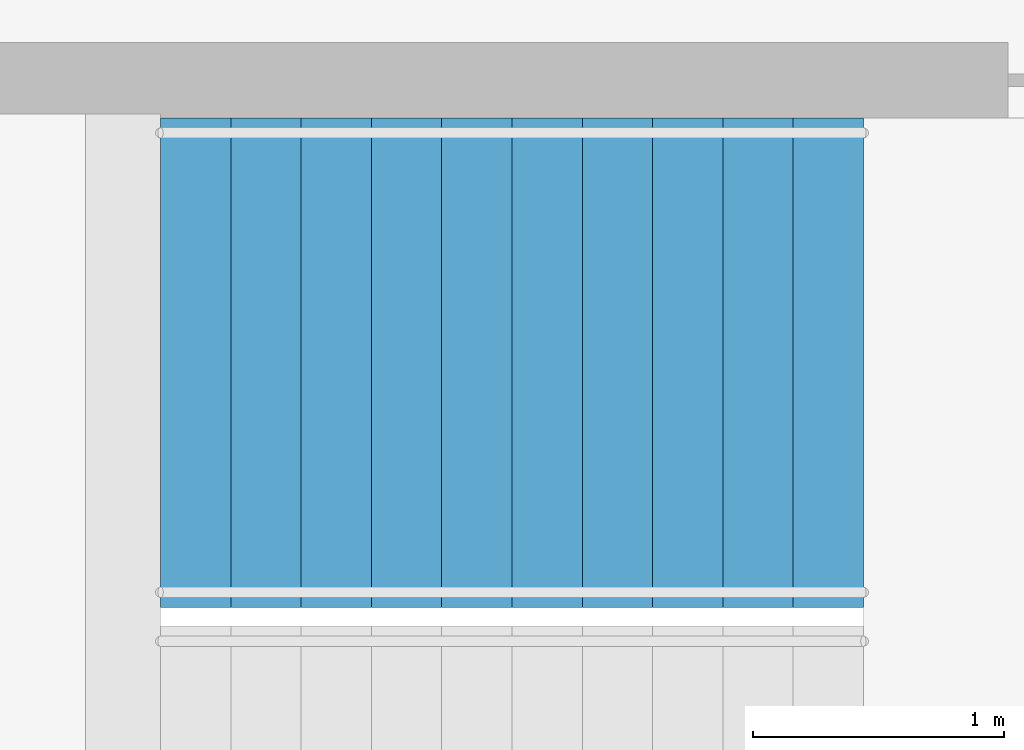
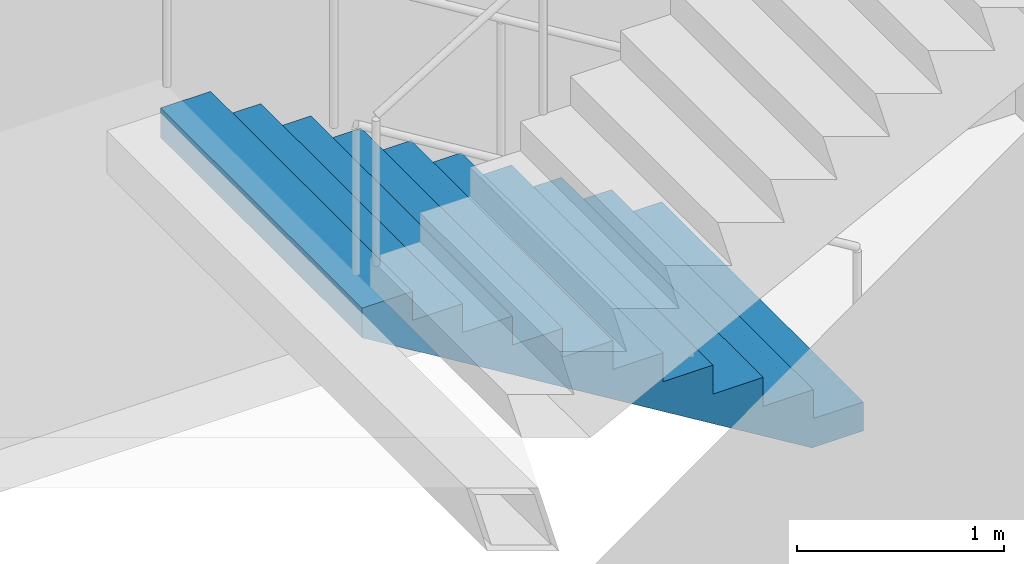
# One storey, part 20 of 21: 1 stair flight, 1 element without a shape of its own.
"""IFC4 building model written with IfcOpenShell, lengths in metres."""

from ifc_helpers import new_model, si_unit, direction, frame, origin, place, context, subcontext, project, spatial, triangles, material, type_object, element, aggregate, save


model = new_model("IFC4")

# Units and contexts
model_context = context("Model", 3, precision=1e-05, world=origin(), true_north=direction((0.0, 1.0)))
body_context = subcontext(model_context, "Body", "Model", "MODEL_VIEW")
ifc_project = project(units=[si_unit("LENGTHUNIT", "METRE"), si_unit("AREAUNIT", "SQUARE_METRE"), si_unit("VOLUMEUNIT", "CUBIC_METRE"), si_unit("PLANEANGLEUNIT", "RADIAN"), si_unit("MASSUNIT", "GRAM", prefix="KILO")], contexts=[model_context])

# Site, building, storey
site_placement = place(None, origin())
site = spatial("IfcSite", under=ifc_project, at=site_placement, CompositionType="ELEMENT")
building_placement = place(site_placement, origin())
building = spatial("IfcBuilding", under=site, at=building_placement, Name="Orbita Commons", CompositionType="ELEMENT")
storey_placement = place(building_placement, frame((0.0, 0.0, 95.64990234375)))
storey = spatial("IfcBuildingStorey", under=building, at=storey_placement, Name="L23", CompositionType="ELEMENT", Elevation=95.64990234375)

# Stair, stair flight
ifc_material_1 = material(Name="Precast concrete C40/50", Category="concrete")
stair_type = type_object("IfcStairType", Name="Exit stair S2 2 flights 11 risers 170", PredefinedType="HALF_TURN_STAIR", material=ifc_material_1)
stair_placement = place(storey_placement, origin())
stair = element("IfcStair", 1, at=stair_placement, inside=storey, type_object=stair_type, Name="Exit stair S2 L23", PredefinedType="HALF_TURN_STAIR")
ifc_material_2 = material(Name="Precast concrete C40/50", Category="concrete")
stair_flight_type = type_object("IfcStairFlightType", Name="Stair flight 11 risers 170 x 280", PredefinedType="STRAIGHT", material=ifc_material_2)
stair_flight_placement = place(storey_placement, frame((63.550048828125, 29.27490234375, 0.0), z_axis=(0.0, 0.0, 1.0), x_axis=(-1.0, 0.0, 0.0)))
stair_flight = element("IfcStairFlight", 2, at=stair_flight_placement, type_object=stair_flight_type, Name="S2 flight 1", NumberOfRisers=11, NumberOfTreads=10, PredefinedType="STRAIGHT", RiserHeight=0.170454545, TreadLength=0.28, context=body_context, shape_type="Tessellation", body=[
    triangles([(0.0, 0.974976, 0.0), (0.0, 0.974976, 0.021307), (0.0, 0.81248, 0.021307), (0.0, 0.81248, 0.0), (0.0, 0.649984, 0.021307), (0.0, 0.649984, 0.0), (0.0, 0.487488, 0.021307), (0.0, 0.487488, 0.0), (0.0, 0.324992, 0.021307), (0.0, 0.324992, 0.0), (0.0, 0.162496, 0.021307), (0.0, 0.162496, 0.0), (0.0, 0.0, 0.021307), (0.0, 0.0, 0.0), (0.0, -0.162496, 0.021307), (0.0, -0.162496, 0.0), (0.0, -0.324992, 0.021307), (0.0, -0.324992, 0.0), (0.0, -0.487488, 0.021307), (0.0, -0.487488, 0.0), (0.0, -0.649984, 0.021307), (0.0, -0.649984, 0.0), (0.0, -0.81248, 0.021307), (0.0, -0.81248, 0.0), (0.0, -0.974976, 0.021307), (0.0, -0.974976, 0.0), (0.0, 0.974976, 0.042614), (0.0, 0.81248, 0.042614), (0.0, 0.649984, 0.042614), (0.0, 0.487488, 0.042614), (0.0, 0.324992, 0.042614), (0.0, 0.162496, 0.042614), (0.0, 0.0, 0.042614), (0.0, -0.162496, 0.042614), (0.0, -0.324992, 0.042614), (0.0, -0.487488, 0.042614), (0.0, -0.649984, 0.042614), (0.0, -0.81248, 0.042614), (0.0, -0.974976, 0.042614), (0.0, 0.974976, 0.06392), (0.0, 0.81248, 0.06392), (0.0, 0.649984, 0.06392), (0.0, 0.487488, 0.06392), (0.0, 0.324992, 0.06392), (0.0, 0.162496, 0.06392), (0.0, 0.0, 0.06392), (0.0, -0.162496, 0.06392), (0.0, -0.324992, 0.06392), (0.0, -0.487488, 0.06392), (0.0, -0.649984, 0.06392), (0.0, -0.81248, 0.06392), (0.0, -0.974976, 0.06392), (0.0, 0.974976, 0.085227), (0.0, 0.81248, 0.085227), (0.0, 0.649984, 0.085227), (0.0, 0.487488, 0.085227), (0.0, 0.324992, 0.085227), (0.0, 0.162496, 0.085227), (0.0, 0.0, 0.085227), (0.0, -0.162496, 0.085227), (0.0, -0.324992, 0.085227), (0.0, -0.487488, 0.085227), (0.0, -0.649984, 0.085227), (0.0, -0.81248, 0.085227), (0.0, -0.974976, 0.085227), (0.0, 0.974976, 0.106534), (0.0, 0.81248, 0.106534), (0.0, 0.649984, 0.106534), (0.0, 0.487488, 0.106534), (0.0, 0.324992, 0.106534), (0.0, 0.162496, 0.106534), (0.0, 0.0, 0.106534), (0.0, -0.162496, 0.106534), (0.0, -0.324992, 0.106534), (0.0, -0.487488, 0.106534), (0.0, -0.649984, 0.106534), (0.0, -0.81248, 0.106534), (0.0, -0.974976, 0.106534), (0.0, 0.974976, 0.127841), (0.0, 0.81248, 0.127841), (0.0, 0.649984, 0.127841), (0.0, 0.487488, 0.127841), (0.0, 0.324992, 0.127841), (0.0, 0.162496, 0.127841), (0.0, 0.0, 0.127841), (0.0, -0.162496, 0.127841), (0.0, -0.324992, 0.127841), (0.0, -0.487488, 0.127841), (0.0, -0.649984, 0.127841), (0.0, -0.81248, 0.127841), (0.0, -0.974976, 0.127841), (0.0, 0.974976, 0.149148), (0.0, 0.81248, 0.149148), (0.0, 0.649984, 0.149148), (0.0, 0.487488, 0.149148), (0.0, 0.324992, 0.149148), (0.0, 0.162496, 0.149148), (0.0, 0.0, 0.149148), (0.0, -0.162496, 0.149148), (0.0, -0.324992, 0.149148), (0.0, -0.487488, 0.149148), (0.0, -0.649984, 0.149148), (0.0, -0.81248, 0.149148), (0.0, -0.974976, 0.149148), (0.0, 0.974976, 0.170455), (0.0, 0.81248, 0.170455), (0.0, 0.649984, 0.170455), (0.0, 0.487488, 0.170455), (0.0, 0.324992, 0.170455), (0.0, 0.162496, 0.170455), (0.0, 0.0, 0.170455), (0.0, -0.162496, 0.170455), (0.0, -0.324992, 0.170455), (0.0, -0.487488, 0.170455), (0.0, -0.649984, 0.170455), (0.0, -0.81248, 0.170455), (0.0, -0.974976, 0.170455), (0.28, 0.974976, 0.170455), (0.28, 0.81248, 0.170455), (0.28, 0.649984, 0.170455), (0.28, 0.487488, 0.170455), (0.28, 0.324992, 0.170455), (0.28, 0.162496, 0.170455), (0.28, 0.0, 0.170455), (0.28, -0.162496, 0.170455), (0.28, -0.324992, 0.170455), (0.28, -0.487488, 0.170455), (0.28, -0.649984, 0.170455), (0.28, -0.81248, 0.170455), (0.28, -0.974976, 0.170455), (0.28, 0.974976, 0.340909), (0.28, 0.81248, 0.340909), (0.28, 0.649984, 0.340909), (0.28, 0.487488, 0.340909), (0.28, 0.324992, 0.340909), (0.28, 0.162496, 0.340909), (0.28, 0.0, 0.340909), (0.28, -0.162496, 0.340909), (0.28, -0.324992, 0.340909), (0.28, -0.487488, 0.340909), (0.28, -0.649984, 0.340909), (0.28, -0.81248, 0.340909), (0.28, -0.974976, 0.340909), (0.56, 0.974976, 0.340909), (0.56, 0.81248, 0.340909), (0.56, 0.649984, 0.340909), (0.56, 0.487488, 0.340909), (0.56, 0.324992, 0.340909), (0.56, 0.162496, 0.340909), (0.56, 0.0, 0.340909), (0.56, -0.162496, 0.340909), (0.56, -0.324992, 0.340909), (0.56, -0.487488, 0.340909), (0.56, -0.649984, 0.340909), (0.56, -0.81248, 0.340909), (0.56, -0.974976, 0.340909), (0.56, 0.974976, 0.511364), (0.56, 0.81248, 0.511364), (0.56, 0.649984, 0.511364), (0.56, 0.487488, 0.511364), (0.56, 0.324992, 0.511364), (0.56, 0.162496, 0.511364), (0.56, 0.0, 0.511364), (0.56, -0.162496, 0.511364), (0.56, -0.324992, 0.511364), (0.56, -0.487488, 0.511364), (0.56, -0.649984, 0.511364), (0.56, -0.81248, 0.511364), (0.56, -0.974976, 0.511364), (0.84, 0.974976, 0.511364), (0.84, 0.81248, 0.511364), (0.84, 0.649984, 0.511364), (0.84, 0.487488, 0.511364), (0.84, 0.324992, 0.511364), (0.84, 0.162496, 0.511364), (0.84, 0.0, 0.511364), (0.84, -0.162496, 0.511364), (0.84, -0.324992, 0.511364), (0.84, -0.487488, 0.511364), (0.84, -0.649984, 0.511364), (0.84, -0.81248, 0.511364), (0.84, -0.974976, 0.511364), (0.84, 0.974976, 0.681818), (0.84, 0.81248, 0.681818), (0.84, 0.649984, 0.681818), (0.84, 0.487488, 0.681818), (0.84, 0.324992, 0.681818), (0.84, 0.162496, 0.681818), (0.84, 0.0, 0.681818), (0.84, -0.162496, 0.681818), (0.84, -0.324992, 0.681818), (0.84, -0.487488, 0.681818), (0.84, -0.649984, 0.681818), (0.84, -0.81248, 0.681818), (0.84, -0.974976, 0.681818), (1.12, 0.974976, 0.681818), (1.12, 0.81248, 0.681818), (1.12, 0.649984, 0.681818), (1.12, 0.487488, 0.681818), (1.12, 0.324992, 0.681818), (1.12, 0.162496, 0.681818), (1.12, 0.0, 0.681818), (1.12, -0.162496, 0.681818), (1.12, -0.324992, 0.681818), (1.12, -0.487488, 0.681818), (1.12, -0.649984, 0.681818), (1.12, -0.81248, 0.681818), (1.12, -0.974976, 0.681818), (1.12, 0.974976, 0.852273), (1.12, 0.81248, 0.852273), (1.12, 0.649984, 0.852273), (1.12, 0.487488, 0.852273), (1.12, 0.324992, 0.852273), (1.12, 0.162496, 0.852273), (1.12, 0.0, 0.852273), (1.12, -0.162496, 0.852273), (1.12, -0.324992, 0.852273), (1.12, -0.487488, 0.852273), (1.12, -0.649984, 0.852273), (1.12, -0.81248, 0.852273), (1.12, -0.974976, 0.852273), (1.4, 0.974976, 0.852273), (1.4, 0.81248, 0.852273), (1.4, 0.649984, 0.852273), (1.4, 0.487488, 0.852273), (1.4, 0.324992, 0.852273), (1.4, 0.162496, 0.852273), (1.4, 0.0, 0.852273), (1.4, -0.162496, 0.852273), (1.4, -0.324992, 0.852273), (1.4, -0.487488, 0.852273), (1.4, -0.649984, 0.852273), (1.4, -0.81248, 0.852273), (1.4, -0.974976, 0.852273), (1.4, 0.974976, 1.022727), (1.4, 0.81248, 1.022727), (1.4, 0.649984, 1.022727), (1.4, 0.487488, 1.022727), (1.4, 0.324992, 1.022727), (1.4, 0.162496, 1.022727), (1.4, 0.0, 1.022727), (1.4, -0.162496, 1.022727), (1.4, -0.324992, 1.022727), (1.4, -0.487488, 1.022727), (1.4, -0.649984, 1.022727), (1.4, -0.81248, 1.022727), (1.4, -0.974976, 1.022727), (1.68, 0.974976, 1.022727), (1.68, 0.81248, 1.022727), (1.68, 0.649984, 1.022727), (1.68, 0.487488, 1.022727), (1.68, 0.324992, 1.022727), (1.68, 0.162496, 1.022727), (1.68, 0.0, 1.022727), (1.68, -0.162496, 1.022727), (1.68, -0.324992, 1.022727), (1.68, -0.487488, 1.022727), (1.68, -0.649984, 1.022727), (1.68, -0.81248, 1.022727), (1.68, -0.974976, 1.022727), (1.68, 0.974976, 1.193182), (1.68, 0.81248, 1.193182), (1.68, 0.649984, 1.193182), (1.68, 0.487488, 1.193182), (1.68, 0.324992, 1.193182), (1.68, 0.162496, 1.193182), (1.68, 0.0, 1.193182), (1.68, -0.162496, 1.193182), (1.68, -0.324992, 1.193182), (1.68, -0.487488, 1.193182), (1.68, -0.649984, 1.193182), (1.68, -0.81248, 1.193182), (1.68, -0.974976, 1.193182), (1.96, 0.974976, 1.193182), (1.96, 0.81248, 1.193182), (1.96, 0.649984, 1.193182), (1.96, 0.487488, 1.193182), (1.96, 0.324992, 1.193182), (1.96, 0.162496, 1.193182), (1.96, 0.0, 1.193182), (1.96, -0.162496, 1.193182), (1.96, -0.324992, 1.193182), (1.96, -0.487488, 1.193182), (1.96, -0.649984, 1.193182), (1.96, -0.81248, 1.193182), (1.96, -0.974976, 1.193182), (1.96, 0.974976, 1.363636), (1.96, 0.81248, 1.363636), (1.96, 0.649984, 1.363636), (1.96, 0.487488, 1.363636), (1.96, 0.324992, 1.363636), (1.96, 0.162496, 1.363636), (1.96, 0.0, 1.363636), (1.96, -0.162496, 1.363636), (1.96, -0.324992, 1.363636), (1.96, -0.487488, 1.363636), (1.96, -0.649984, 1.363636), (1.96, -0.81248, 1.363636), (1.96, -0.974976, 1.363636), (2.24, 0.974976, 1.363636), (2.24, 0.81248, 1.363636), (2.24, 0.649984, 1.363636), (2.24, 0.487488, 1.363636), (2.24, 0.324992, 1.363636), (2.24, 0.162496, 1.363636), (2.24, 0.0, 1.363636), (2.24, -0.162496, 1.363636), (2.24, -0.324992, 1.363636), (2.24, -0.487488, 1.363636), (2.24, -0.649984, 1.363636), (2.24, -0.81248, 1.363636), (2.24, -0.974976, 1.363636), (2.24, 0.974976, 1.534091), (2.24, 0.81248, 1.534091), (2.24, 0.649984, 1.534091), (2.24, 0.487488, 1.534091), (2.24, 0.324992, 1.534091), (2.24, 0.162496, 1.534091), (2.24, 0.0, 1.534091), (2.24, -0.162496, 1.534091), (2.24, -0.324992, 1.534091), (2.24, -0.487488, 1.534091), (2.24, -0.649984, 1.534091), (2.24, -0.81248, 1.534091), (2.24, -0.974976, 1.534091), (2.52, 0.974976, 1.534091), (2.52, 0.81248, 1.534091), (2.52, 0.649984, 1.534091), (2.52, 0.487488, 1.534091), (2.52, 0.324992, 1.534091), (2.52, 0.162496, 1.534091), (2.52, 0.0, 1.534091), (2.52, -0.162496, 1.534091), (2.52, -0.324992, 1.534091), (2.52, -0.487488, 1.534091), (2.52, -0.649984, 1.534091), (2.52, -0.81248, 1.534091), (2.52, -0.974976, 1.534091), (2.52, 0.974976, 1.704545), (2.52, 0.81248, 1.704545), (2.52, 0.649984, 1.704545), (2.52, 0.487488, 1.704545), (2.52, 0.324992, 1.704545), (2.52, 0.162496, 1.704545), (2.52, 0.0, 1.704545), (2.52, -0.162496, 1.704545), (2.52, -0.324992, 1.704545), (2.52, -0.487488, 1.704545), (2.52, -0.649984, 1.704545), (2.52, -0.81248, 1.704545), (2.52, -0.974976, 1.704545), (2.8, 0.974976, 1.704545), (2.8, 0.81248, 1.704545), (2.8, 0.649984, 1.704545), (2.8, 0.487488, 1.704545), (2.8, 0.324992, 1.704545), (2.8, 0.162496, 1.704545), (2.8, 0.0, 1.704545), (2.8, -0.162496, 1.704545), (2.8, -0.324992, 1.704545), (2.8, -0.487488, 1.704545), (2.8, -0.649984, 1.704545), (2.8, -0.81248, 1.704545), (2.8, -0.974976, 1.704545), (2.8, 0.974976, 1.682609), (2.8, 0.81248, 1.682609), (2.8, 0.649984, 1.682609), (2.8, 0.487488, 1.682609), (2.8, 0.324992, 1.682609), (2.8, 0.162496, 1.682609), (2.8, 0.0, 1.682609), (2.8, -0.162496, 1.682609), (2.8, -0.324992, 1.682609), (2.8, -0.487488, 1.682609), (2.8, -0.649984, 1.682609), (2.8, -0.81248, 1.682609), (2.8, -0.974976, 1.682609), (2.8, 0.974976, 1.660672), (2.8, 0.81248, 1.660672), (2.8, 0.649984, 1.660672), (2.8, 0.487488, 1.660672), (2.8, 0.324992, 1.660672), (2.8, 0.162496, 1.660672), (2.8, 0.0, 1.660672), (2.8, -0.162496, 1.660672), (2.8, -0.324992, 1.660672), (2.8, -0.487488, 1.660672), (2.8, -0.649984, 1.660672), (2.8, -0.81248, 1.660672), (2.8, -0.974976, 1.660672), (2.8, 0.974976, 1.638735), (2.8, 0.81248, 1.638735), (2.8, 0.649984, 1.638735), (2.8, 0.487488, 1.638735), (2.8, 0.324992, 1.638735), (2.8, 0.162496, 1.638735), (2.8, 0.0, 1.638735), (2.8, -0.162496, 1.638735), (2.8, -0.324992, 1.638735), (2.8, -0.487488, 1.638735), (2.8, -0.649984, 1.638735), (2.8, -0.81248, 1.638735), (2.8, -0.974976, 1.638735), (2.8, 0.974976, 1.616798), (2.8, 0.81248, 1.616798), (2.8, 0.649984, 1.616798), (2.8, 0.487488, 1.616798), (2.8, 0.324992, 1.616798), (2.8, 0.162496, 1.616798), (2.8, 0.0, 1.616798), (2.8, -0.162496, 1.616798), (2.8, -0.324992, 1.616798), (2.8, -0.487488, 1.616798), (2.8, -0.649984, 1.616798), (2.8, -0.81248, 1.616798), (2.8, -0.974976, 1.616798), (2.8, 0.974976, 1.594861), (2.8, 0.81248, 1.594861), (2.8, 0.649984, 1.594861), (2.8, 0.487488, 1.594861), (2.8, 0.324992, 1.594861), (2.8, 0.162496, 1.594861), (2.8, 0.0, 1.594861), (2.8, -0.162496, 1.594861), (2.8, -0.324992, 1.594861), (2.8, -0.487488, 1.594861), (2.8, -0.649984, 1.594861), (2.8, -0.81248, 1.594861), (2.8, -0.974976, 1.594861), (2.8, 0.974976, 1.572925), (2.8, 0.81248, 1.572925), (2.8, 0.649984, 1.572925), (2.8, 0.487488, 1.572925), (2.8, 0.324992, 1.572925), (2.8, 0.162496, 1.572925), (2.8, 0.0, 1.572925), (2.8, -0.162496, 1.572925), (2.8, -0.324992, 1.572925), (2.8, -0.487488, 1.572925), (2.8, -0.649984, 1.572925), (2.8, -0.81248, 1.572925), (2.8, -0.974976, 1.572925), (2.8, 0.974976, 1.550988), (2.8, 0.81248, 1.550988), (2.8, 0.649984, 1.550988), (2.8, 0.487488, 1.550988), (2.8, 0.324992, 1.550988), (2.8, 0.162496, 1.550988), (2.8, 0.0, 1.550988), (2.8, -0.162496, 1.550988), (2.8, -0.324992, 1.550988), (2.8, -0.487488, 1.550988), (2.8, -0.649984, 1.550988), (2.8, -0.81248, 1.550988), (2.8, -0.974976, 1.550988), (2.8, 0.974976, 1.529051), (2.8, 0.81248, 1.529051), (2.8, 0.649984, 1.529051), (2.8, 0.487488, 1.529051), (2.8, 0.324992, 1.529051), (2.8, 0.162496, 1.529051), (2.8, 0.0, 1.529051), (2.8, -0.162496, 1.529051), (2.8, -0.324992, 1.529051), (2.8, -0.487488, 1.529051), (2.8, -0.649984, 1.529051), (2.8, -0.81248, 1.529051), (2.8, -0.974976, 1.529051), (0.288279, 0.974976, 0.0), (0.288279, 0.81248, 0.0), (0.288279, 0.649984, 0.0), (0.288279, 0.487488, 0.0), (0.288279, 0.324992, 0.0), (0.288279, 0.162496, 0.0), (0.288279, 0.0, 0.0), (0.288279, -0.162496, 0.0), (0.288279, -0.324992, 0.0), (0.288279, -0.487488, 0.0), (0.288279, -0.649984, 0.0), (0.288279, -0.81248, 0.0), (0.288279, -0.974976, 0.0)], [[3, 2, 1], [4, 3, 1], [5, 3, 4], [6, 5, 4], [7, 5, 6], [8, 7, 6], [9, 7, 8], [10, 9, 8], [11, 9, 10], [12, 11, 10], [13, 11, 12], [14, 13, 12], [15, 13, 14], [16, 15, 14], [17, 15, 16], [18, 17, 16], [19, 17, 18], [20, 19, 18], [21, 19, 20], [22, 21, 20], [23, 21, 22], [24, 23, 22], [25, 23, 24], [26, 25, 24], [28, 27, 2], [3, 28, 2], [29, 28, 3], [5, 29, 3], [30, 29, 5], [7, 30, 5], [31, 30, 7], [9, 31, 7], [32, 31, 9], [11, 32, 9], [33, 32, 11], [13, 33, 11], [34, 33, 13], [15, 34, 13], [35, 34, 15], [17, 35, 15], [36, 35, 17], [19, 36, 17], [37, 36, 19], [21, 37, 19], [38, 37, 21], [23, 38, 21], [39, 38, 23], [25, 39, 23], [41, 40, 27], [28, 41, 27], [42, 41, 28], [29, 42, 28], [43, 42, 29], [30, 43, 29], [44, 43, 30], [31, 44, 30], [45, 44, 31], [32, 45, 31], [46, 45, 32], [33, 46, 32], [47, 46, 33], [34, 47, 33], [48, 47, 34], [35, 48, 34], [49, 48, 35], [36, 49, 35], [50, 49, 36], [37, 50, 36], [51, 50, 37], [38, 51, 37], [52, 51, 38], [39, 52, 38], [54, 53, 40], [41, 54, 40], [55, 54, 41], [42, 55, 41], [56, 55, 42], [43, 56, 42], [57, 56, 43], [44, 57, 43], [58, 57, 44], [45, 58, 44], [59, 58, 45], [46, 59, 45], [60, 59, 46], [47, 60, 46], [61, 60, 47], [48, 61, 47], [62, 61, 48], [49, 62, 48], [63, 62, 49], [50, 63, 49], [64, 63, 50], [51, 64, 50], [65, 64, 51], [52, 65, 51], [67, 66, 53], [54, 67, 53], [68, 67, 54], [55, 68, 54], [69, 68, 55], [56, 69, 55], [70, 69, 56], [57, 70, 56], [71, 70, 57], [58, 71, 57], [72, 71, 58], [59, 72, 58], [73, 72, 59], [60, 73, 59], [74, 73, 60], [61, 74, 60], [75, 74, 61], [62, 75, 61], [76, 75, 62], [63, 76, 62], [77, 76, 63], [64, 77, 63], [78, 77, 64], [65, 78, 64], [80, 79, 66], [67, 80, 66], [81, 80, 67], [68, 81, 67], [82, 81, 68], [69, 82, 68], [83, 82, 69], [70, 83, 69], [84, 83, 70], [71, 84, 70], [85, 84, 71], [72, 85, 71], [86, 85, 72], [73, 86, 72], [87, 86, 73], [74, 87, 73], [88, 87, 74], [75, 88, 74], [89, 88, 75], [76, 89, 75], [90, 89, 76], [77, 90, 76], [91, 90, 77], [78, 91, 77], [93, 92, 79], [80, 93, 79], [94, 93, 80], [81, 94, 80], [95, 94, 81], [82, 95, 81], [96, 95, 82], [83, 96, 82], [97, 96, 83], [84, 97, 83], [98, 97, 84], [85, 98, 84], [99, 98, 85], [86, 99, 85], [100, 99, 86], [87, 100, 86], [101, 100, 87], [88, 101, 87], [102, 101, 88], [89, 102, 88], [103, 102, 89], [90, 103, 89], [104, 103, 90], [91, 104, 90], [106, 105, 92], [93, 106, 92], [107, 106, 93], [94, 107, 93], [108, 107, 94], [95, 108, 94], [109, 108, 95], [96, 109, 95], [110, 109, 96], [97, 110, 96], [111, 110, 97], [98, 111, 97], [112, 111, 98], [99, 112, 98], [113, 112, 99], [100, 113, 99], [114, 113, 100], [101, 114, 100], [115, 114, 101], [102, 115, 101], [116, 115, 102], [103, 116, 102], [117, 116, 103], [104, 117, 103], [119, 118, 105], [106, 119, 105], [120, 119, 106], [107, 120, 106], [121, 120, 107], [108, 121, 107], [122, 121, 108], [109, 122, 108], [123, 122, 109], [110, 123, 109], [124, 123, 110], [111, 124, 110], [125, 124, 111], [112, 125, 111], [126, 125, 112], [113, 126, 112], [127, 126, 113], [114, 127, 113], [128, 127, 114], [115, 128, 114], [129, 128, 115], [116, 129, 115], [130, 129, 116], [117, 130, 116], [132, 131, 118], [119, 132, 118], [133, 132, 119], [120, 133, 119], [134, 133, 120], [121, 134, 120], [135, 134, 121], [122, 135, 121], [136, 135, 122], [123, 136, 122], [137, 136, 123], [124, 137, 123], [138, 137, 124], [125, 138, 124], [139, 138, 125], [126, 139, 125], [140, 139, 126], [127, 140, 126], [141, 140, 127], [128, 141, 127], [142, 141, 128], [129, 142, 128], [143, 142, 129], [130, 143, 129], [145, 144, 131], [132, 145, 131], [146, 145, 132], [133, 146, 132], [147, 146, 133], [134, 147, 133], [148, 147, 134], [135, 148, 134], [149, 148, 135], [136, 149, 135], [150, 149, 136], [137, 150, 136], [151, 150, 137], [138, 151, 137], [152, 151, 138], [139, 152, 138], [153, 152, 139], [140, 153, 139], [154, 153, 140], [141, 154, 140], [155, 154, 141], [142, 155, 141], [156, 155, 142], [143, 156, 142], [158, 157, 144], [145, 158, 144], [159, 158, 145], [146, 159, 145], [160, 159, 146], [147, 160, 146], [161, 160, 147], [148, 161, 147], [162, 161, 148], [149, 162, 148], [163, 162, 149], [150, 163, 149], [164, 163, 150], [151, 164, 150], [165, 164, 151], [152, 165, 151], [166, 165, 152], [153, 166, 152], [167, 166, 153], [154, 167, 153], [168, 167, 154], [155, 168, 154], [169, 168, 155], [156, 169, 155], [171, 170, 157], [158, 171, 157], [172, 171, 158], [159, 172, 158], [173, 172, 159], [160, 173, 159], [174, 173, 160], [161, 174, 160], [175, 174, 161], [162, 175, 161], [176, 175, 162], [163, 176, 162], [177, 176, 163], [164, 177, 163], [178, 177, 164], [165, 178, 164], [179, 178, 165], [166, 179, 165], [180, 179, 166], [167, 180, 166], [181, 180, 167], [168, 181, 167], [182, 181, 168], [169, 182, 168], [184, 183, 170], [171, 184, 170], [185, 184, 171], [172, 185, 171], [186, 185, 172], [173, 186, 172], [187, 186, 173], [174, 187, 173], [188, 187, 174], [175, 188, 174], [189, 188, 175], [176, 189, 175], [190, 189, 176], [177, 190, 176], [191, 190, 177], [178, 191, 177], [192, 191, 178], [179, 192, 178], [193, 192, 179], [180, 193, 179], [194, 193, 180], [181, 194, 180], [195, 194, 181], [182, 195, 181], [197, 196, 183], [184, 197, 183], [198, 197, 184], [185, 198, 184], [199, 198, 185], [186, 199, 185], [200, 199, 186], [187, 200, 186], [201, 200, 187], [188, 201, 187], [202, 201, 188], [189, 202, 188], [203, 202, 189], [190, 203, 189], [204, 203, 190], [191, 204, 190], [205, 204, 191], [192, 205, 191], [206, 205, 192], [193, 206, 192], [207, 206, 193], [194, 207, 193], [208, 207, 194], [195, 208, 194], [210, 209, 196], [197, 210, 196], [211, 210, 197], [198, 211, 197], [212, 211, 198], [199, 212, 198], [213, 212, 199], [200, 213, 199], [214, 213, 200], [201, 214, 200], [215, 214, 201], [202, 215, 201], [216, 215, 202], [203, 216, 202], [217, 216, 203], [204, 217, 203], [218, 217, 204], [205, 218, 204], [219, 218, 205], [206, 219, 205], [220, 219, 206], [207, 220, 206], [221, 220, 207], [208, 221, 207], [223, 222, 209], [210, 223, 209], [224, 223, 210], [211, 224, 210], [225, 224, 211], [212, 225, 211], [226, 225, 212], [213, 226, 212], [227, 226, 213], [214, 227, 213], [228, 227, 214], [215, 228, 214], [229, 228, 215], [216, 229, 215], [230, 229, 216], [217, 230, 216], [231, 230, 217], [218, 231, 217], [232, 231, 218], [219, 232, 218], [233, 232, 219], [220, 233, 219], [234, 233, 220], [221, 234, 220], [236, 235, 222], [223, 236, 222], [237, 236, 223], [224, 237, 223], [238, 237, 224], [225, 238, 224], [239, 238, 225], [226, 239, 225], [240, 239, 226], [227, 240, 226], [241, 240, 227], [228, 241, 227], [242, 241, 228], [229, 242, 228], [243, 242, 229], [230, 243, 229], [244, 243, 230], [231, 244, 230], [245, 244, 231], [232, 245, 231], [246, 245, 232], [233, 246, 232], [247, 246, 233], [234, 247, 233], [249, 248, 235], [236, 249, 235], [250, 249, 236], [237, 250, 236], [251, 250, 237], [238, 251, 237], [252, 251, 238], [239, 252, 238], [253, 252, 239], [240, 253, 239], [254, 253, 240], [241, 254, 240], [255, 254, 241], [242, 255, 241], [256, 255, 242], [243, 256, 242], [257, 256, 243], [244, 257, 243], [258, 257, 244], [245, 258, 244], [259, 258, 245], [246, 259, 245], [260, 259, 246], [247, 260, 246], [262, 261, 248], [249, 262, 248], [263, 262, 249], [250, 263, 249], [264, 263, 250], [251, 264, 250], [265, 264, 251], [252, 265, 251], [266, 265, 252], [253, 266, 252], [267, 266, 253], [254, 267, 253], [268, 267, 254], [255, 268, 254], [269, 268, 255], [256, 269, 255], [270, 269, 256], [257, 270, 256], [271, 270, 257], [258, 271, 257], [272, 271, 258], [259, 272, 258], [273, 272, 259], [260, 273, 259], [275, 274, 261], [262, 275, 261], [276, 275, 262], [263, 276, 262], [277, 276, 263], [264, 277, 263], [278, 277, 264], [265, 278, 264], [279, 278, 265], [266, 279, 265], [280, 279, 266], [267, 280, 266], [281, 280, 267], [268, 281, 267], [282, 281, 268], [269, 282, 268], [283, 282, 269], [270, 283, 269], [284, 283, 270], [271, 284, 270], [285, 284, 271], [272, 285, 271], [286, 285, 272], [273, 286, 272], [288, 287, 274], [275, 288, 274], [289, 288, 275], [276, 289, 275], [290, 289, 276], [277, 290, 276], [291, 290, 277], [278, 291, 277], [292, 291, 278], [279, 292, 278], [293, 292, 279], [280, 293, 279], [294, 293, 280], [281, 294, 280], [295, 294, 281], [282, 295, 281], [296, 295, 282], [283, 296, 282], [297, 296, 283], [284, 297, 283], [298, 297, 284], [285, 298, 284], [299, 298, 285], [286, 299, 285], [301, 300, 287], [288, 301, 287], [302, 301, 288], [289, 302, 288], [303, 302, 289], [290, 303, 289], [304, 303, 290], [291, 304, 290], [305, 304, 291], [292, 305, 291], [306, 305, 292], [293, 306, 292], [307, 306, 293], [294, 307, 293], [308, 307, 294], [295, 308, 294], [309, 308, 295], [296, 309, 295], [310, 309, 296], [297, 310, 296], [311, 310, 297], [298, 311, 297], [312, 311, 298], [299, 312, 298], [314, 313, 300], [301, 314, 300], [315, 314, 301], [302, 315, 301], [316, 315, 302], [303, 316, 302], [317, 316, 303], [304, 317, 303], [318, 317, 304], [305, 318, 304], [319, 318, 305], [306, 319, 305], [320, 319, 306], [307, 320, 306], [321, 320, 307], [308, 321, 307], [322, 321, 308], [309, 322, 308], [323, 322, 309], [310, 323, 309], [324, 323, 310], [311, 324, 310], [325, 324, 311], [312, 325, 311], [327, 326, 313], [314, 327, 313], [328, 327, 314], [315, 328, 314], [329, 328, 315], [316, 329, 315], [330, 329, 316], [317, 330, 316], [331, 330, 317], [318, 331, 317], [332, 331, 318], [319, 332, 318], [333, 332, 319], [320, 333, 319], [334, 333, 320], [321, 334, 320], [335, 334, 321], [322, 335, 321], [336, 335, 322], [323, 336, 322], [337, 336, 323], [324, 337, 323], [338, 337, 324], [325, 338, 324], [340, 339, 326], [327, 340, 326], [341, 340, 327], [328, 341, 327], [342, 341, 328], [329, 342, 328], [343, 342, 329], [330, 343, 329], [344, 343, 330], [331, 344, 330], [345, 344, 331], [332, 345, 331], [346, 345, 332], [333, 346, 332], [347, 346, 333], [334, 347, 333], [348, 347, 334], [335, 348, 334], [349, 348, 335], [336, 349, 335], [350, 349, 336], [337, 350, 336], [351, 350, 337], [338, 351, 337], [353, 352, 339], [340, 353, 339], [354, 353, 340], [341, 354, 340], [355, 354, 341], [342, 355, 341], [356, 355, 342], [343, 356, 342], [357, 356, 343], [344, 357, 343], [358, 357, 344], [345, 358, 344], [359, 358, 345], [346, 359, 345], [360, 359, 346], [347, 360, 346], [361, 360, 347], [348, 361, 347], [362, 361, 348], [349, 362, 348], [363, 362, 349], [350, 363, 349], [364, 363, 350], [351, 364, 350], [366, 365, 352], [353, 366, 352], [367, 366, 353], [354, 367, 353], [368, 367, 354], [355, 368, 354], [369, 368, 355], [356, 369, 355], [370, 369, 356], [357, 370, 356], [371, 370, 357], [358, 371, 357], [372, 371, 358], [359, 372, 358], [373, 372, 359], [360, 373, 359], [374, 373, 360], [361, 374, 360], [375, 374, 361], [362, 375, 361], [376, 375, 362], [363, 376, 362], [377, 376, 363], [364, 377, 363], [379, 378, 365], [366, 379, 365], [380, 379, 366], [367, 380, 366], [381, 380, 367], [368, 381, 367], [382, 381, 368], [369, 382, 368], [383, 382, 369], [370, 383, 369], [384, 383, 370], [371, 384, 370], [385, 384, 371], [372, 385, 371], [386, 385, 372], [373, 386, 372], [387, 386, 373], [374, 387, 373], [388, 387, 374], [375, 388, 374], [389, 388, 375], [376, 389, 375], [390, 389, 376], [377, 390, 376], [392, 391, 378], [379, 392, 378], [393, 392, 379], [380, 393, 379], [394, 393, 380], [381, 394, 380], [395, 394, 381], [382, 395, 381], [396, 395, 382], [383, 396, 382], [397, 396, 383], [384, 397, 383], [398, 397, 384], [385, 398, 384], [399, 398, 385], [386, 399, 385], [400, 399, 386], [387, 400, 386], [401, 400, 387], [388, 401, 387], [402, 401, 388], [389, 402, 388], [403, 402, 389], [390, 403, 389], [405, 404, 391], [392, 405, 391], [406, 405, 392], [393, 406, 392], [407, 406, 393], [394, 407, 393], [408, 407, 394], [395, 408, 394], [409, 408, 395], [396, 409, 395], [410, 409, 396], [397, 410, 396], [411, 410, 397], [398, 411, 397], [412, 411, 398], [399, 412, 398], [413, 412, 399], [400, 413, 399], [414, 413, 400], [401, 414, 400], [415, 414, 401], [402, 415, 401], [416, 415, 402], [403, 416, 402], [418, 417, 404], [405, 418, 404], [419, 418, 405], [406, 419, 405], [420, 419, 406], [407, 420, 406], [421, 420, 407], [408, 421, 407], [422, 421, 408], [409, 422, 408], [423, 422, 409], [410, 423, 409], [424, 423, 410], [411, 424, 410], [425, 424, 411], [412, 425, 411], [426, 425, 412], [413, 426, 412], [427, 426, 413], [414, 427, 413], [428, 427, 414], [415, 428, 414], [429, 428, 415], [416, 429, 415], [431, 430, 417], [418, 431, 417], [432, 431, 418], [419, 432, 418], [433, 432, 419], [420, 433, 419], [434, 433, 420], [421, 434, 420], [435, 434, 421], [422, 435, 421], [436, 435, 422], [423, 436, 422], [437, 436, 423], [424, 437, 423], [438, 437, 424], [425, 438, 424], [439, 438, 425], [426, 439, 425], [440, 439, 426], [427, 440, 426], [441, 440, 427], [428, 441, 427], [442, 441, 428], [429, 442, 428], [444, 443, 430], [431, 444, 430], [445, 444, 431], [432, 445, 431], [446, 445, 432], [433, 446, 432], [447, 446, 433], [434, 447, 433], [448, 447, 434], [435, 448, 434], [449, 448, 435], [436, 449, 435], [450, 449, 436], [437, 450, 436], [451, 450, 437], [438, 451, 437], [452, 451, 438], [439, 452, 438], [453, 452, 439], [440, 453, 439], [454, 453, 440], [441, 454, 440], [455, 454, 441], [442, 455, 441], [457, 456, 443], [444, 457, 443], [458, 457, 444], [445, 458, 444], [459, 458, 445], [446, 459, 445], [460, 459, 446], [447, 460, 446], [461, 460, 447], [448, 461, 447], [462, 461, 448], [449, 462, 448], [463, 462, 449], [450, 463, 449], [464, 463, 450], [451, 464, 450], [465, 464, 451], [452, 465, 451], [466, 465, 452], [453, 466, 452], [467, 466, 453], [454, 467, 453], [468, 467, 454], [455, 468, 454], [470, 469, 456], [457, 470, 456], [471, 470, 457], [458, 471, 457], [472, 471, 458], [459, 472, 458], [473, 472, 459], [460, 473, 459], [474, 473, 460], [461, 474, 460], [475, 474, 461], [462, 475, 461], [476, 475, 462], [463, 476, 462], [477, 476, 463], [464, 477, 463], [478, 477, 464], [465, 478, 464], [479, 478, 465], [466, 479, 465], [480, 479, 466], [467, 480, 466], [481, 480, 467], [468, 481, 467], [4, 1, 469], [470, 4, 469], [6, 4, 470], [471, 6, 470], [8, 6, 471], [472, 8, 471], [10, 8, 472], [473, 10, 472], [12, 10, 473], [474, 12, 473], [14, 12, 474], [475, 14, 474], [16, 14, 475], [476, 16, 475], [18, 16, 476], [477, 18, 476], [20, 18, 477], [478, 20, 477], [22, 20, 478], [479, 22, 478], [24, 22, 479], [480, 24, 479], [26, 24, 480], [481, 26, 480], [456, 469, 1], [26, 481, 468], [443, 456, 1], [26, 468, 455], [430, 443, 1], [26, 455, 442], [417, 430, 1], [26, 442, 429], [404, 417, 1], [26, 429, 416], [391, 404, 1], [26, 416, 403], [378, 391, 1], [26, 403, 390], [365, 378, 1], [26, 390, 377], [339, 352, 365], [377, 364, 351], [326, 339, 365], [377, 351, 338], [300, 313, 326], [338, 325, 312], [300, 326, 365], [377, 338, 312], [274, 287, 300], [312, 299, 286], [274, 300, 365], [377, 312, 286], [248, 261, 274], [286, 273, 260], [248, 274, 365], [377, 286, 260], [222, 235, 248], [260, 247, 234], [222, 248, 365], [377, 260, 234], [196, 209, 222], [234, 221, 208], [196, 222, 365], [377, 234, 208], [170, 183, 196], [208, 195, 182], [170, 196, 365], [377, 208, 182], [144, 157, 170], [182, 169, 156], [144, 170, 365], [377, 182, 156], [118, 131, 144], [156, 143, 130], [118, 144, 365], [377, 156, 130], [118, 365, 1], [26, 377, 130], [92, 105, 118], [130, 117, 104], [79, 92, 118], [130, 104, 91], [66, 79, 118], [130, 91, 78], [53, 66, 118], [130, 78, 65], [40, 53, 118], [130, 65, 52], [27, 40, 118], [130, 52, 39], [2, 27, 118], [130, 39, 25], [1, 2, 118], [130, 25, 26]], closed=True),
])
aggregate(stair, [stair_flight])

save(model, "model.ifc")
